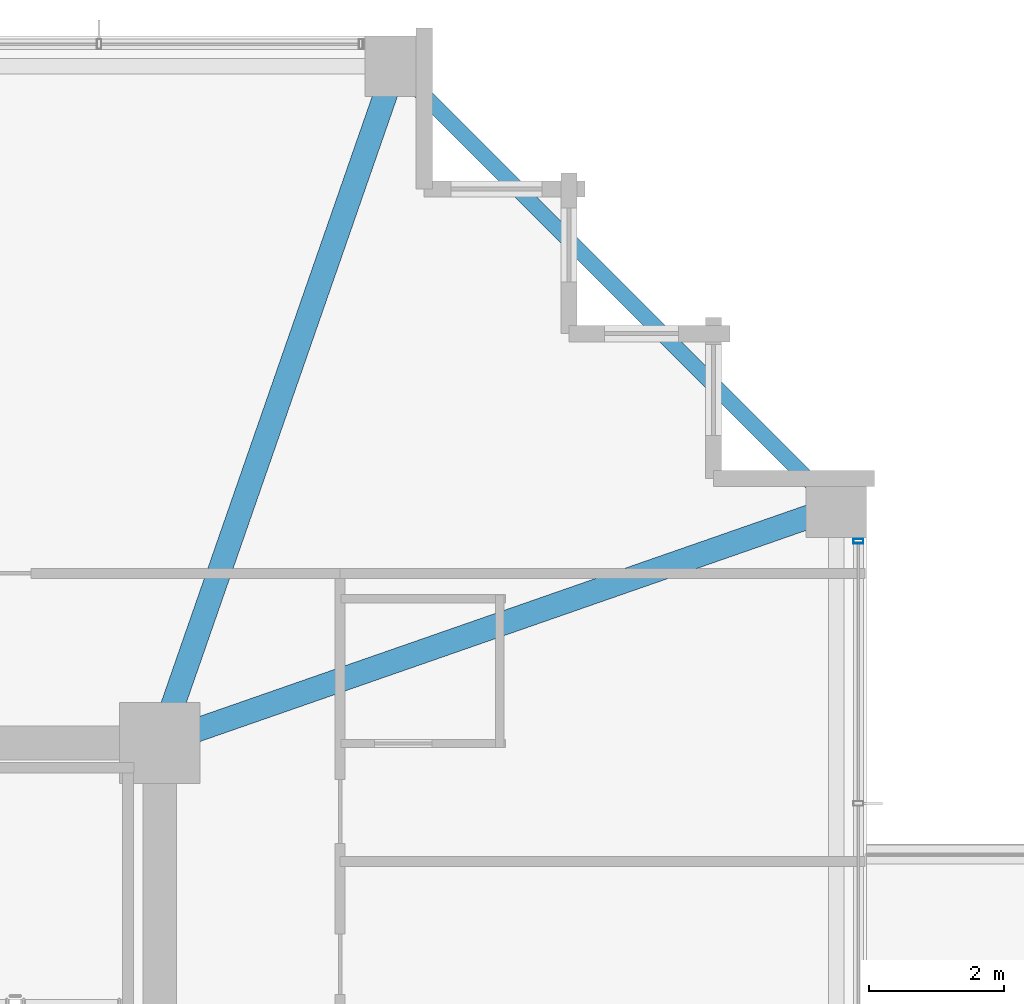
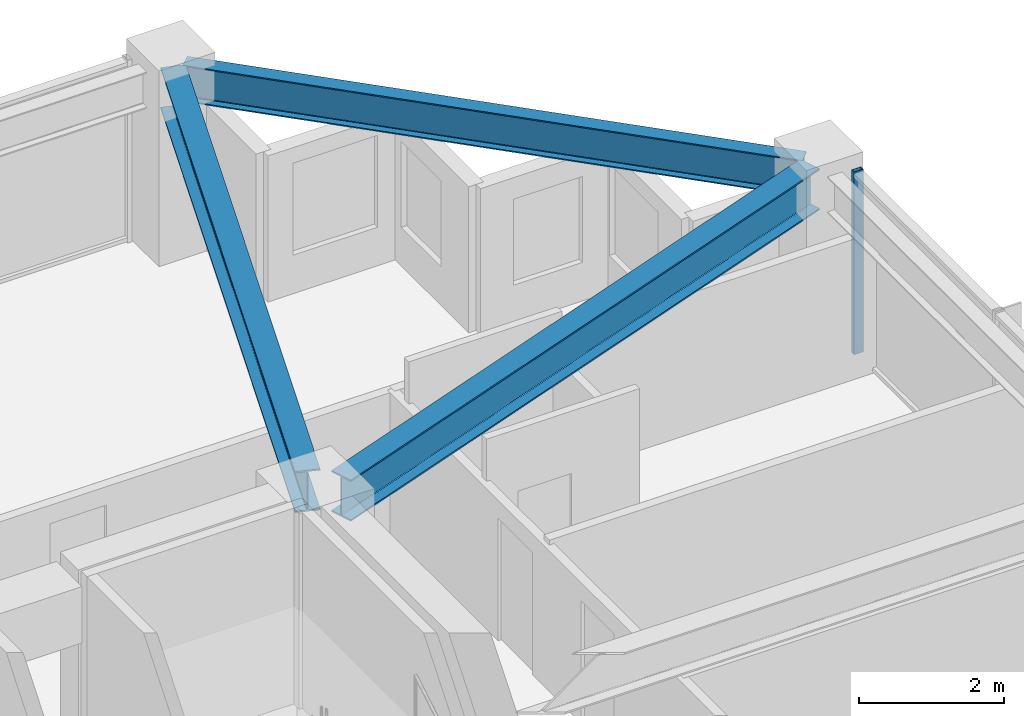
# One storey, part 19 of 34: 3 beams, 1 member, 1 element without a shape of its own.
"""IFC4 building model written with IfcOpenShell, lengths in metres."""

from ifc_helpers import new_model, si_unit, direction, frame, origin, origin_2d, place, context, subcontext, project, spatial, hollow_rectangle, i_section, extrude, material, material_profile, profile_set, type_object, element, aggregate, save


model = new_model("IFC4")

# Units and contexts
model_context = context("Model", 3, precision=1e-05, world=origin(), true_north=direction((0.0, 1.0)))
body_context = subcontext(model_context, "Body", "Model", "MODEL_VIEW")
ifc_project = project(units=[si_unit("LENGTHUNIT", "METRE"), si_unit("AREAUNIT", "SQUARE_METRE"), si_unit("VOLUMEUNIT", "CUBIC_METRE"), si_unit("PLANEANGLEUNIT", "RADIAN"), si_unit("MASSUNIT", "GRAM", prefix="KILO")], contexts=[model_context])

# Site, building, storey
site_placement = place(None, origin())
site = spatial("IfcSite", under=ifc_project, at=site_placement, CompositionType="ELEMENT")
building_placement = place(site_placement, origin())
building = spatial("IfcBuilding", under=site, at=building_placement, Name="Kolvaren Belvedere", CompositionType="ELEMENT")
storey_placement = place(building_placement, frame((0.0, 0.0, 189.89990234375)))
storey = spatial("IfcBuildingStorey", under=building, at=storey_placement, Name="L55", CompositionType="ELEMENT", Elevation=189.89990234375)

# Beams
ifc_material_1 = material(Name="Structural steel ASTM A992 Grade 50", Category="steel")
ifc_material_profile_1 = material_profile(ifc_material_1, i_section(OverallWidth=0.35498046875, OverallDepth=0.696044921875, WebThickness=0.015380859375, FlangeThickness=0.02490234375, FilletRadius=0.02197265625, at=origin_2d()), Name="W27X146")
ifc_profile_set_1 = profile_set([ifc_material_profile_1], Name="Structural steel ASTM A992 Grade 50")
beam_type_1 = type_object("IfcBeamType", Name="BM-GIRD-W27X146", PredefinedType="BEAM", material=ifc_profile_set_1)
for number, where, z_axis, x_axis, name in (
    (1, (10.080810546875, 10.41943359375, 2.732177734375), (0.328894130701, 0.944366798861, 0.0), (-0.944366798861, 0.328894130701, 0.0), "L55 Corner Core-to-Perimeter Girder CC3-N4"),
    (2, (10.41943359375, 10.080810546875, 2.732177734375), (0.944366798861, 0.328894130701, 0.0), (-0.328894130701, 0.944366798861, 0.0), "L55 Corner Core-to-Perimeter Girder CC3-E4"),
):
    element("IfcBeam", number, at=place(storey_placement, frame(where, z_axis=z_axis, x_axis=x_axis)), inside=storey, type_object=beam_type_1, Name=name, PredefinedType="BEAM", context=body_context, shape_type="SweptSolid", body=[
        extrude(i_section(OverallWidth=0.35498046875, OverallDepth=0.696044921875, WebThickness=0.015380859375, FlangeThickness=0.02490234375, FilletRadius=0.02197265625, at=origin_2d()), origin(), (0.0, 0.0, 1.0), 9.912109375),
    ])
ifc_material_2 = material(Name="Structural steel ASTM A992 Grade 50", Category="steel")
ifc_material_profile_2 = material_profile(ifc_material_2, i_section(OverallWidth=0.22900390625, OverallDepth=0.612060546875, WebThickness=0.011962890625, FlangeThickness=0.01953125, FilletRadius=0.01806640625, at=origin_2d()), Name="W24X84")
ifc_profile_set_2 = profile_set([ifc_material_profile_2], Name="Structural steel ASTM A992 Grade 50")
beam_type_2 = type_object("IfcBeamType", Name="BM-SPAN-W24X84", PredefinedType="SPANDREL", material=ifc_profile_set_2)
beam_placement = place(storey_placement, frame((19.806884765625, 13.543212890625, 2.774169921875), z_axis=(-0.707106781187, 0.707106781187, 0.0), x_axis=(-0.707106781187, -0.707106781187, 0.0)))
element("IfcBeam", 3, at=beam_placement, inside=storey, type_object=beam_type_2, Name="L55 Perimeter Spandrel E4-N4", PredefinedType="SPANDREL", context=body_context, shape_type="SweptSolid", body=[
    extrude(i_section(OverallWidth=0.22900390625, OverallDepth=0.612060546875, WebThickness=0.011962890625, FlangeThickness=0.01953125, FilletRadius=0.01806640625, at=origin_2d()), origin(), (0.0, 0.0, 1.0), 8.858154296875),
])

# Curtain wall, member
ifc_material_3 = material(Name="Anodised pale-metal aluminium AA 6063-T6", Category="aluminium")
curtain_wall_type = type_object("IfcCurtainWallType", Name="CW-Z5-HIGH", PredefinedType="NOTDEFINED", material=ifc_material_3)
curtain_wall_placement = place(storey_placement, origin())
curtain_wall = element("IfcCurtainWall", 4, at=curtain_wall_placement, inside=storey, type_object=curtain_wall_type, Name="L55 Unitised Curtain Wall FCW-L55-E1-B1", PredefinedType="NOTDEFINED")
ifc_material_4 = material(Name="Anodised pale-metal aluminium AA 6063-T6", Category="aluminium")
ifc_material_profile_3 = material_profile(ifc_material_4, hollow_rectangle(XDim=0.070068359375, YDim=0.14990234375, WallThickness=0.004150390625, at=origin_2d()), Name="ALU-MUL-150X70")
ifc_profile_set_3 = profile_set([ifc_material_profile_3], Name="Anodised pale-metal aluminium AA 6063-T6")
member_type = type_object("IfcMemberType", Name="CW-MUL-150", PredefinedType="MULLION", material=ifc_profile_set_3)
member_placement = place(storey_placement, frame((20.280029296875, 12.89501953125, 0.0), z_axis=(0.0, 0.0, 1.0), x_axis=(0.0, 1.0, 0.0)))
member = element("IfcMember", 5, at=member_placement, type_object=member_type, Name="FCW-L55-E1-B1 Unitised Mullion 1", PredefinedType="MULLION", context=body_context, shape_type="SweptSolid", body=[
    extrude(hollow_rectangle(XDim=0.070068359375, YDim=0.14990234375, WallThickness=0.004150390625, at=origin_2d()), origin(), (0.0, 0.0, 1.0), 3.080078125),
])
aggregate(curtain_wall, [member])

save(model, "model.ifc")
